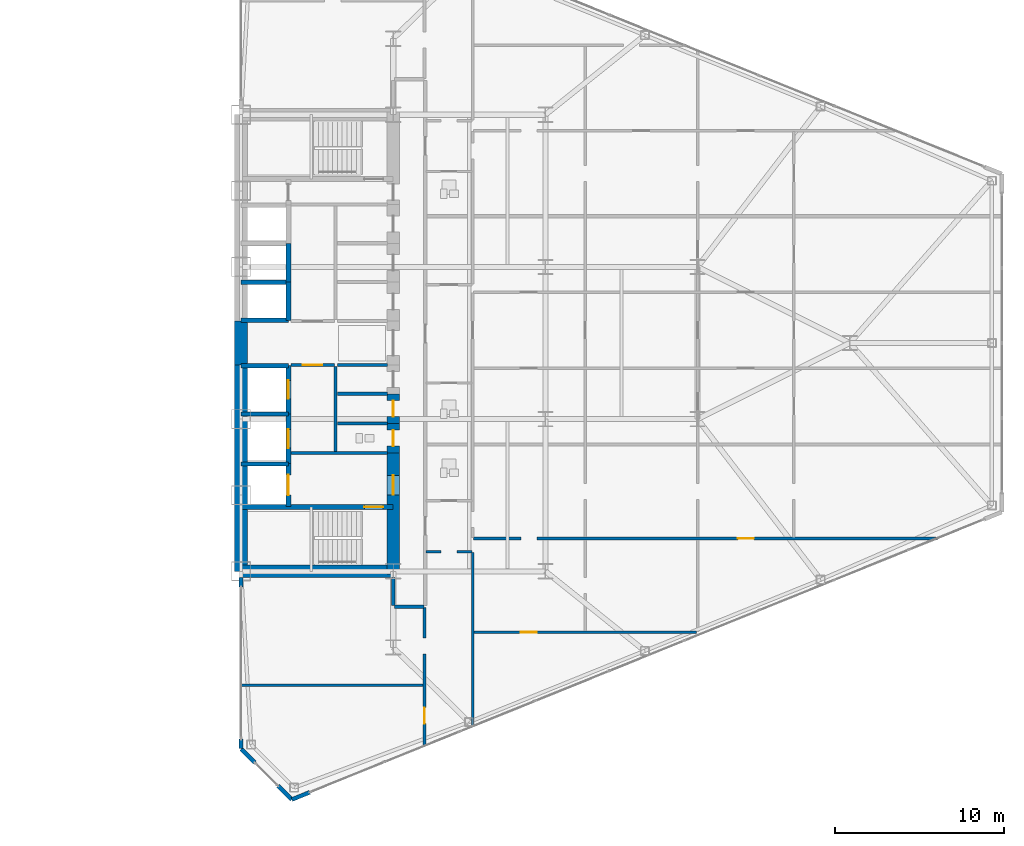
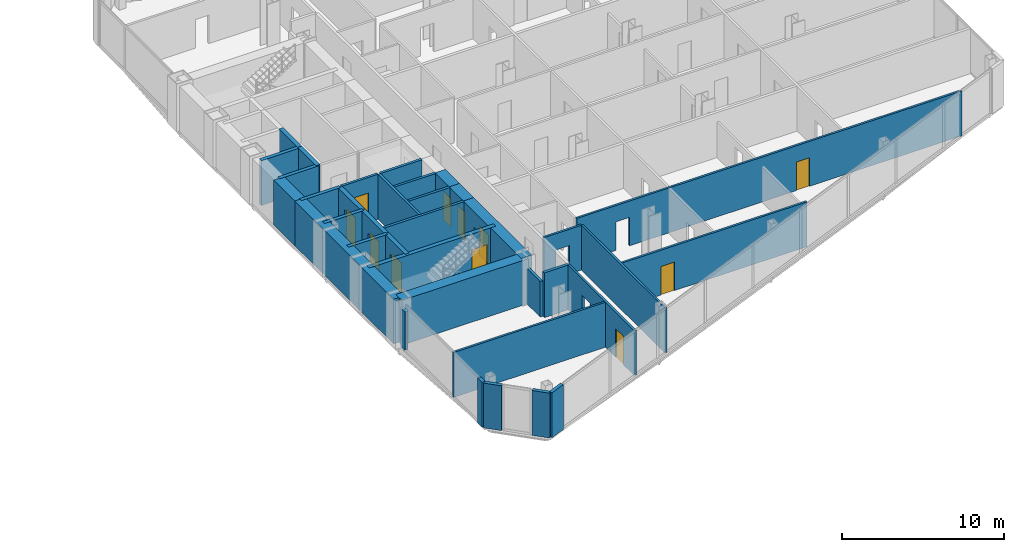
# One storey, part 20 of 25: 36 walls, 11 doors, 14 openings.
"""IFC4 building model written with IfcOpenShell, lengths in metres."""

from ifc_helpers import new_model, si_unit, direction, frame, frame_2d, origin, place, context, subcontext, project, spatial, rectangle, extrude, source, transform, mapped, material, layer, layer_set, type_object, type_shapes, element, fill, save


model = new_model("IFC4")

# Units and contexts
model_context = context("Model", 3, precision=1e-05, world=origin(), true_north=direction((0.0, 1.0)))
body_context = subcontext(model_context, "Body", "Model", "MODEL_VIEW")
ifc_project = project(units=[si_unit("LENGTHUNIT", "METRE"), si_unit("AREAUNIT", "SQUARE_METRE"), si_unit("VOLUMEUNIT", "CUBIC_METRE"), si_unit("PLANEANGLEUNIT", "RADIAN"), si_unit("MASSUNIT", "GRAM", prefix="KILO")], contexts=[model_context])

# Site, building, storey
site_placement = place(None, origin())
site = spatial("IfcSite", under=ifc_project, at=site_placement, CompositionType="ELEMENT")
building_placement = place(site_placement, origin())
building = spatial("IfcBuilding", under=site, at=building_placement, Name="Seokmaru Belvedere", CompositionType="ELEMENT")
storey_placement = place(building_placement, frame((0.0, 0.0, 33.300048828125)))
storey = spatial("IfcBuildingStorey", under=building, at=storey_placement, Name="L08", CompositionType="ELEMENT", Elevation=33.300048828125)

# Wall
ifc_material_1 = material(Name="Fire-Rated Gypsum Shaftwall")
ifc_layer_1 = layer(ifc_material_1, 0.14990234375)
ifc_layer_set_1 = layer_set([ifc_layer_1], Name="Fire-Rated Gypsum Shaftwall")
wall_type_1 = type_object("IfcWallType", Name="Apartment Fire-Acoustic Room Partition 150", PredefinedType="PARTITIONING", material=ifc_layer_set_1)
wall_1_placement = place(storey_placement, frame((27.465087890625, -20.25, 0.0), z_axis=(0.0, 0.0, 1.0), x_axis=(1.0, 0.0, 0.0)))
element("IfcWall", 1, at=wall_1_placement, inside=storey, type_object=wall_type_1, Name="L08 Interior Partition 002", PredefinedType="PARTITIONING", context=body_context, shape_type="SweptSolid", body=[
    extrude(rectangle(XDim=10.8349609375, YDim=0.14990234375, at=frame_2d((5.41748046875, 0.0))), origin(), (0.0, 0.0, 1.0), 3.3798828125),
])

# Wall, opening, door
wall_2_placement = place(storey_placement, frame((41.25, -17.110107421875, 0.0), z_axis=(0.0, 0.0, 1.0), x_axis=(1.0, 0.0, 0.0)))
wall_2 = element("IfcWall", 2, at=wall_2_placement, inside=storey, type_object=wall_type_1, Name="L08 Interior Partition 004", PredefinedType="PARTITIONING", context=body_context, shape_type="SweptSolid", body=[
    extrude(rectangle(XDim=13.199951171875, YDim=0.14990234375, at=frame_2d((6.60009765625, 0.0))), origin(), (0.0, 0.0, 1.0), 3.3798828125),
])
opening_1_placement = place(wall_2_placement, frame((2.800048828125, 0.0, 0.0)))
opening_1 = element("IfcOpeningElement", 3, at=opening_1_placement, cuts=wall_2, Name="Opening D05", PredefinedType="OPENING", context=body_context, shape_type="SweptSolid", body=[
    extrude(rectangle(XDim=0.949951171875, YDim=2.14990234375, at=frame_2d((0.47509765625, 1.074951171875))), frame((0.0, 0.0849609375, 0.0), z_axis=(0.0, -1.0, 0.0), x_axis=(1.0, 0.0, 0.0)), (0.0, 0.0, 1.0), 0.169921875),
])
ifc_material_2 = material(Name="Engineered White Oak Timber", Category="wood")
door_type_1 = type_object("IfcDoorType", Name="Apartment Interior Fire-Rated Oak Door 950x2150", OperationType="NOTDEFINED", PredefinedType="DOOR", material=ifc_material_2)
shared_shape_1 = source(origin(), body_context, "Body", "SweptSolid", [
    extrude(rectangle(XDim=0.949951171875, YDim=2.14990234375, at=frame_2d((0.47509765625, 1.074951171875))), frame((0.0, 0.02490234375, 0.0), z_axis=(0.0, -1.0, 0.0), x_axis=(1.0, 0.0, 0.0)), (0.0, 0.0, 1.0), 0.050048828125),
])
type_shapes(door_type_1, [shared_shape_1])
door_1_placement = place(opening_1_placement, origin())
door_1 = element("IfcDoor", 4, at=door_1_placement, inside=storey, type_object=door_type_1, Name="L08 Interior Door 047", OperationType="SINGLE_SWING_RIGHT", OverallHeight=2.14990234375, OverallWidth=0.949951171875, PredefinedType="DOOR", context=body_context, shape_type="MappedRepresentation", body=[
    mapped(shared_shape_1, transform((0.0, 0.0, 0.0), scale=1.0)),
])
fill(opening_1, door_1)

# Wall, opening
wall_3_placement = place(storey_placement, frame((38.449951171875, -12.330078125, 0.0), z_axis=(0.0, 0.0, 1.0), x_axis=(1.0, 0.0, 0.0)))
wall_3 = element("IfcWall", 5, at=wall_3_placement, inside=storey, type_object=wall_type_1, Name="L08 Interior Partition 009", PredefinedType="PARTITIONING", context=body_context, shape_type="SweptSolid", body=[
    extrude(rectangle(XDim=2.699951171875, YDim=0.14990234375, at=frame_2d((1.35009765625, 0.0))), origin(), (0.0, 0.0, 1.0), 3.3798828125),
])
opening_2_placement = place(wall_3_placement, frame((0.875, 0.0, 0.0)))
element("IfcOpeningElement", 6, at=opening_2_placement, cuts=wall_3, Name="L08 Cased Opening 040", PredefinedType="OPENING", context=body_context, shape_type="SweptSolid", body=[
    extrude(rectangle(XDim=0.949951171875, YDim=2.14990234375, at=frame_2d((0.47509765625, 1.074951171875))), frame((0.0, 0.0849609375, 0.0), z_axis=(0.0, -1.0, 0.0), x_axis=(1.0, 0.0, 0.0)), (0.0, 0.0, 1.0), 0.169921875),
])

# Wall, openings, door
wall_4_placement = place(storey_placement, frame((41.25, -11.56005859375, 0.0), z_axis=(0.0, 0.0, 1.0), x_axis=(1.0, 0.0, 0.0)))
wall_4 = element("IfcWall", 7, at=wall_4_placement, inside=storey, type_object=wall_type_1, Name="L08 Interior Partition 010", PredefinedType="PARTITIONING", context=body_context, shape_type="SweptSolid", body=[
    extrude(rectangle(XDim=27.43994140625, YDim=0.14990234375, at=frame_2d((13.719970703125, 0.0))), origin(), (0.0, 0.0, 1.0), 3.3798828125),
])
opening_3_placement = place(wall_4_placement, frame((2.800048828125, 0.0, 0.0)))
element("IfcOpeningElement", 8, at=opening_3_placement, cuts=wall_4, Name="L08 Cased Opening 042", PredefinedType="OPENING", context=body_context, shape_type="SweptSolid", body=[
    extrude(rectangle(XDim=0.949951171875, YDim=2.14990234375, at=frame_2d((0.47509765625, 1.074951171875))), frame((0.0, 0.0849609375, 0.0), z_axis=(0.0, -1.0, 0.0), x_axis=(1.0, 0.0, 0.0)), (0.0, 0.0, 1.0), 0.169921875),
])
opening_4_placement = place(wall_4_placement, frame((15.625, 0.0, 0.0)))
opening_4 = element("IfcOpeningElement", 9, at=opening_4_placement, cuts=wall_4, Name="Opening D05", PredefinedType="OPENING", context=body_context, shape_type="SweptSolid", body=[
    extrude(rectangle(XDim=0.949951171875, YDim=2.14990234375, at=frame_2d((0.47509765625, 1.074951171875))), frame((0.0, 0.0849609375, 0.0), z_axis=(0.0, -1.0, 0.0), x_axis=(1.0, 0.0, 0.0)), (0.0, 0.0, 1.0), 0.169921875),
])
door_2_placement = place(opening_4_placement, origin())
door_2 = element("IfcDoor", 10, at=door_2_placement, inside=storey, type_object=door_type_1, Name="L08 Interior Door 045", OperationType="SINGLE_SWING_RIGHT", OverallHeight=2.14990234375, OverallWidth=0.949951171875, PredefinedType="DOOR", context=body_context, shape_type="MappedRepresentation", body=[
    mapped(shared_shape_1, transform((0.0, 0.0, 0.0), scale=1.0)),
])
fill(opening_4, door_2)

wall_5_placement = place(storey_placement, frame((38.35009765625, -23.85791015625, 0.0), z_axis=(0.0, 0.0, 1.0), x_axis=(0.0, 1.0, 0.0)))
wall_5 = element("IfcWall", 11, at=wall_5_placement, inside=storey, type_object=wall_type_1, Name="L08 Interior Partition 052", PredefinedType="PARTITIONING", context=body_context, shape_type="SweptSolid", body=[
    extrude(rectangle(XDim=8.2080078125, YDim=0.14990234375, at=frame_2d((4.10400390625, 0.0))), origin(), (0.0, 0.0, 1.0), 3.3798828125),
])
opening_5_placement = place(wall_5_placement, frame((1.3466796875, 0.0, 0.0)))
opening_5 = element("IfcOpeningElement", 12, at=opening_5_placement, cuts=wall_5, Name="Opening D05", PredefinedType="OPENING", context=body_context, shape_type="SweptSolid", body=[
    extrude(rectangle(XDim=0.949951171875, YDim=2.14990234375, at=frame_2d((0.47509765625, 1.074951171875))), frame((0.0, 0.0849609375, 0.0), z_axis=(0.0, -1.0, 0.0), x_axis=(1.0, 0.0, 0.0)), (0.0, 0.0, 1.0), 0.169921875),
])
opening_6_placement = place(wall_5_placement, frame((5.4580078125, 0.0, 0.0)))
element("IfcOpeningElement", 13, at=opening_6_placement, cuts=wall_5, Name="L08 Cased Opening 050", PredefinedType="OPENING", context=body_context, shape_type="SweptSolid", body=[
    extrude(rectangle(XDim=0.949951171875, YDim=2.14990234375, at=frame_2d((0.47509765625, 1.074951171875))), frame((0.0, 0.0849609375, 0.0), z_axis=(0.0, -1.0, 0.0), x_axis=(1.0, 0.0, 0.0)), (0.0, 0.0, 1.0), 0.169921875),
])
door_3_placement = place(opening_5_placement, origin())
door_3 = element("IfcDoor", 14, at=door_3_placement, inside=storey, type_object=door_type_1, Name="L08 Interior Door 049", OperationType="SINGLE_SWING_LEFT", OverallHeight=2.14990234375, OverallWidth=0.949951171875, PredefinedType="DOOR", context=body_context, shape_type="MappedRepresentation", body=[
    mapped(shared_shape_1, transform((0.0, 0.0, 0.0), scale=1.0)),
])
fill(opening_5, door_3)

# Walls
wall_6_placement = place(storey_placement, frame((41.199951171875, -22.7041015625, 0.0), z_axis=(0.0, 0.0, 1.0), x_axis=(0.0, 1.0, 0.0)))
element("IfcWall", 15, at=wall_6_placement, inside=storey, type_object=wall_type_1, Name="L08 Interior Partition 055", PredefinedType="PARTITIONING", context=body_context, shape_type="SweptSolid", body=[
    extrude(rectangle(XDim=10.326171875, YDim=0.14990234375, at=frame_2d((5.1630859375, 0.0))), origin(), (0.0, 0.0, 1.0), 3.3798828125),
])
ifc_layer_2 = layer(ifc_material_1, 0.179931640625)
ifc_layer_set_2 = layer_set([ifc_layer_2], Name="Fire-Rated Gypsum Shaftwall")
wall_type_2 = type_object("IfcWallType", Name="Core Service Fire Partition 180", PredefinedType="PARTITIONING", material=ifc_layer_set_2)
wall_7_placement = place(storey_placement, frame((30.449951171875, -6.5, 0.0), z_axis=(0.0, 0.0, 1.0), x_axis=(1.0, 0.0, 0.0)))
element("IfcWall", 16, at=wall_7_placement, inside=storey, type_object=wall_type_2, Name="L08 East Firefighting Lobby Partition", PredefinedType="PARTITIONING", context=body_context, shape_type="SweptSolid", body=[
    extrude(rectangle(XDim=5.699951171875, YDim=0.179931640625, at=frame_2d((2.85009765625, 0.0))), origin(), (0.0, 0.0, 1.0), 3.3798828125),
])
wall_8_placement = place(storey_placement, frame((33.10009765625, -6.419921875, 0.0), z_axis=(0.0, 0.0, 1.0), x_axis=(0.0, 1.0, 0.0)))
element("IfcWall", 17, at=wall_8_placement, inside=storey, type_object=wall_type_2, Name="L08 East South Core Service Back Wall", PredefinedType="PARTITIONING", context=body_context, shape_type="SweptSolid", body=[
    extrude(rectangle(XDim=5.0400390625, YDim=0.179931640625, at=frame_2d((2.52001953125, 0.0))), origin(), (0.0, 0.0, 1.0), 3.3798828125),
])

# Wall, opening, door
wall_9_placement = place(storey_placement, frame((30.449951171875, -1.300048828125, 0.0), z_axis=(0.0, 0.0, 1.0), x_axis=(1.0, 0.0, 0.0)))
wall_9 = element("IfcWall", 18, at=wall_9_placement, inside=storey, type_object=wall_type_2, Name="L08 East South Lift Lobby Foyer Wall", PredefinedType="PARTITIONING", context=body_context, shape_type="SweptSolid", body=[
    extrude(rectangle(XDim=2.570068359375, YDim=0.179931640625, at=frame_2d((1.28515625, 0.0))), origin(), (0.0, 0.0, 1.0), 3.3798828125),
])
opening_7_placement = place(wall_9_placement, frame((0.7099609375, 0.0, 0.0)))
opening_7 = element("IfcOpeningElement", 19, at=opening_7_placement, cuts=wall_9, Name="Opening D02", PredefinedType="OPENING", context=body_context, shape_type="SweptSolid", body=[
    extrude(rectangle(XDim=1.14990234375, YDim=2.199951171875, at=frame_2d((0.574951171875, 1.10009765625))), frame((0.0, 0.10009765625, 0.0), z_axis=(0.0, -1.0, 0.0), x_axis=(1.0, 0.0, 0.0)), (0.0, 0.0, 1.0), 0.199951171875),
])
ifc_material_3 = material(Name="Fire-Rated Steel Leaf", Category="steel")
door_type_2 = type_object("IfcDoorType", Name="Lobby and Vestibule Fire Door 1150x2200", OperationType="NOTDEFINED", PredefinedType="DOOR", material=ifc_material_3)
shared_shape_2 = source(origin(), body_context, "Body", "SweptSolid", [
    extrude(rectangle(XDim=1.14990234375, YDim=2.199951171875, at=frame_2d((0.574951171875, 1.10009765625))), frame((0.0, 0.02490234375, 0.0), z_axis=(0.0, -1.0, 0.0), x_axis=(1.0, 0.0, 0.0)), (0.0, 0.0, 1.0), 0.050048828125),
])
type_shapes(door_type_2, [shared_shape_2])
door_4_placement = place(opening_7_placement, origin())
door_4 = element("IfcDoor", 20, at=door_4_placement, inside=storey, type_object=door_type_2, Name="L08 East South Core Foyer Door", OperationType="SINGLE_SWING_RIGHT", OverallHeight=2.199951171875, OverallWidth=1.14990234375, PredefinedType="DOOR", context=body_context, shape_type="MappedRepresentation", body=[
    mapped(shared_shape_2, transform((0.0, 0.0, 0.0), scale=1.0)),
])
fill(opening_7, door_4)

# Walls
for number, where, z_axis, x_axis, name in (
    (21, (33.199951171875, -1.300048828125, 0.0), (0.0, 0.0, 1.0), (1.0, 0.0, 0.0), "L08 East Foyer Side Wall S"),
    (22, (33.199951171875, -4.75, 0.0), (0.0, 0.0, 1.0), (1.0, 0.0, 0.0), "L08 East Core Service Partition 1"),
    (23, (33.199951171875, -3.0, 0.0), (0.0, 0.0, 1.0), (1.0, 0.0, 0.0), "L08 East Core Service Partition 2"),
):
    element("IfcWall", number, at=place(storey_placement, frame(where, z_axis=z_axis, x_axis=x_axis)), inside=storey, type_object=wall_type_2, Name=name, PredefinedType="PARTITIONING", context=body_context, shape_type="SweptSolid", body=[
        extrude(rectangle(XDim=2.949951171875, YDim=0.179931640625, at=frame_2d((1.47509765625, 0.0))), origin(), (0.0, 0.0, 1.0), 3.3798828125),
    ])
ifc_material_4 = material(Name="Concrete C50 (50 MPa)", Category="concrete")
ifc_layer_3 = layer(ifc_material_4, 0.25)
ifc_layer_set_3 = layer_set([ifc_layer_3], Name="Concrete C50 (50 MPa)")
wall_type_3 = type_object("IfcWallType", Name="Hoistway Transverse Concrete Divider Wall 250", PredefinedType="SHEAR", material=ifc_layer_set_3)
for number, where, z_axis, x_axis, name in (
    (24, (27.5, -7.14990234375, 0.0), (0.0, 0.0, 1.0), (1.0, 0.0, 0.0), "L08 East Hoistway Divider Core Wall 1"),
    (25, (27.5, -4.199951171875, 0.0), (0.0, 0.0, 1.0), (1.0, 0.0, 0.0), "L08 East Hoistway Divider Core Wall 2"),
    (26, (27.5, -1.35009765625, 0.0), (0.0, 0.0, 1.0), (1.0, 0.0, 0.0), "L08 East Hoistway Divider Core Wall 3"),
    (27, (27.5, 1.35009765625, 0.0), (0.0, 0.0, 1.0), (1.0, 0.0, 0.0), "L08 East Hoistway Divider Core Wall 4"),
    (28, (27.5, 3.60009765625, 0.0), (0.0, 0.0, 1.0), (1.0, 0.0, 0.0), "L08 East Hoistway Divider Core Wall 5"),
):
    element("IfcWall", number, at=place(storey_placement, frame(where, z_axis=z_axis, x_axis=x_axis)), inside=storey, type_object=wall_type_3, Name=name, PredefinedType="SHEAR", context=body_context, shape_type="SweptSolid", body=[
        extrude(rectangle(XDim=2.800048828125, YDim=0.25, at=frame_2d((1.39990234375, 0.0))), origin(), (0.0, 0.0, 1.0), 3.3798828125),
    ])
ifc_layer_4 = layer(ifc_material_1, 0.199951171875)
ifc_layer_set_4 = layer_set([ifc_layer_4], Name="Fire-Rated Gypsum Shaftwall")
wall_type_4 = type_object("IfcWallType", Name="Inter-Tenancy Fire Compartment Partition 200", PredefinedType="PARTITIONING", material=ifc_layer_set_4)
wall_10_placement = place(storey_placement, frame((36.5849609375, -15.60009765625, 0.0), z_axis=(0.0, 0.0, 1.0), x_axis=(1.0, 0.0, 0.0)))
element("IfcWall", 29, at=wall_10_placement, inside=storey, type_object=wall_type_4, Name="L08 Interior Partition 007", PredefinedType="PARTITIONING", context=body_context, shape_type="SweptSolid", body=[
    extrude(rectangle(XDim=1.72998046875, YDim=0.199951171875, at=frame_2d((0.864990234375, 0.0))), origin(), (0.0, 0.0, 1.0), 3.3798828125),
])
wall_11_placement = place(storey_placement, frame((36.5, -15.514892578125, 0.0), z_axis=(0.0, 0.0, 1.0), x_axis=(0.0, 1.0, 0.0)))
element("IfcWall", 30, at=wall_11_placement, inside=storey, type_object=wall_type_4, Name="L08 Interior Partition 050", PredefinedType="PARTITIONING", context=body_context, shape_type="SweptSolid", body=[
    extrude(rectangle(XDim=1.635009765625, YDim=0.199951171875, at=frame_2d((0.8173828125, 0.0))), origin(), (0.0, 0.0, 1.0), 2.679931640625),
])

# Wall, opening, door
ifc_layer_5 = layer(ifc_material_4, 0.300048828125)
ifc_layer_set_5 = layer_set([ifc_layer_5], Name="Concrete C50 (50 MPa)")
wall_type_5 = type_object("IfcWallType", Name="Internal Core Stair and Hoistway Wall 300", PredefinedType="SHEAR", material=ifc_layer_set_5)
wall_12_placement = place(storey_placement, frame((27.5, -9.699951171875, 0.0), z_axis=(0.0, 0.0, 1.0), x_axis=(1.0, 0.0, 0.0)))
wall_12 = element("IfcWall", 31, at=wall_12_placement, inside=storey, type_object=wall_type_5, Name="L08 East Stair ST-1 Enclosure Wall", PredefinedType="SHEAR", context=body_context, shape_type="SweptSolid", body=[
    extrude(rectangle(XDim=9.0, YDim=0.300048828125, at=frame_2d((4.5, 0.0))), origin(), (0.0, 0.0, 1.0), 3.3798828125),
])
opening_8_placement = place(wall_12_placement, frame((7.300048828125, 0.0, 0.0)))
opening_8 = element("IfcOpeningElement", 32, at=opening_8_placement, cuts=wall_12, Name="Opening D01", PredefinedType="OPENING", context=body_context, shape_type="SweptSolid", body=[
    extrude(rectangle(XDim=1.10009765625, YDim=2.199951171875, at=frame_2d((0.550048828125, 1.10009765625))), frame((0.0, 0.16015625, 0.0), z_axis=(0.0, -1.0, 0.0), x_axis=(1.0, 0.0, 0.0)), (0.0, 0.0, 1.0), 0.320068359375),
])
door_type_3 = type_object("IfcDoorType", Name="Special Escape Stair Smokeproof Fire Door 1100x2200", OperationType="NOTDEFINED", PredefinedType="DOOR", material=ifc_material_3)
shared_shape_3 = source(origin(), body_context, "Body", "SweptSolid", [
    extrude(rectangle(XDim=1.10009765625, YDim=2.199951171875, at=frame_2d((0.550048828125, 1.10009765625))), frame((0.0, 0.02490234375, 0.0), z_axis=(0.0, -1.0, 0.0), x_axis=(1.0, 0.0, 0.0)), (0.0, 0.0, 1.0), 0.050048828125),
])
type_shapes(door_type_3, [shared_shape_3])
door_5_placement = place(opening_8_placement, frame((1.10009765625, 0.0, 0.0), z_axis=(0.0, 0.0, 1.0), x_axis=(-1.0, 0.0, 0.0)))
door_5 = element("IfcDoor", 33, at=door_5_placement, inside=storey, type_object=door_type_3, Name="L08 East Special Escape Stair ST-1 Door", OperationType="SINGLE_SWING_RIGHT", OverallHeight=2.199951171875, OverallWidth=1.10009765625, PredefinedType="DOOR", context=body_context, shape_type="MappedRepresentation", body=[
    mapped(shared_shape_3, transform((0.0, 0.0, 0.0), scale=1.0)),
])
fill(opening_8, door_5)

wall_13_placement = place(storey_placement, frame((30.300048828125, -9.679931640625, 0.0), z_axis=(0.0, 0.0, 1.0), x_axis=(0.0, 1.0, 0.0)))
wall_13 = element("IfcWall", 34, at=wall_13_placement, inside=storey, type_object=wall_type_5, Name="L08 East Firefighting Lift Shaft Front Wall", PredefinedType="SHEAR", context=body_context, shape_type="SweptSolid", body=[
    extrude(rectangle(XDim=2.559814453125, YDim=0.300048828125, at=frame_2d((1.27978515625, 0.0))), origin(), (0.0, 0.0, 1.0), 3.3798828125),
])
opening_9_placement = place(wall_13_placement, frame((0.679931640625, 0.0, 0.0)))
opening_9 = element("IfcOpeningElement", 35, at=opening_9_placement, cuts=wall_13, Name="Opening LD2", PredefinedType="OPENING", context=body_context, shape_type="SweptSolid", body=[
    extrude(rectangle(XDim=1.199951171875, YDim=2.25, at=frame_2d((0.60009765625, 1.125))), frame((0.0, 0.16015625, 0.0), z_axis=(0.0, -1.0, 0.0), x_axis=(1.0, 0.0, 0.0)), (0.0, 0.0, 1.0), 0.320068359375),
])
ifc_material_5 = material(Name="Stainless Steel 316", Category="steel")
door_type_4 = type_object("IfcDoorType", Name="Firefighting Lift Sliding Landing Door 1200x2250", OperationType="DOUBLE_DOOR_SLIDING", PredefinedType="DOOR", material=ifc_material_5)
shared_shape_4 = source(origin(), body_context, "Body", "SweptSolid", [
    extrude(rectangle(XDim=1.199951171875, YDim=2.25, at=frame_2d((0.60009765625, 1.125))), frame((0.0, 0.02490234375, 0.0), z_axis=(0.0, -1.0, 0.0), x_axis=(1.0, 0.0, 0.0)), (0.0, 0.0, 1.0), 0.050048828125),
])
type_shapes(door_type_4, [shared_shape_4])
door_6_placement = place(opening_9_placement, origin())
door_6 = element("IfcDoor", 36, at=door_6_placement, inside=storey, type_object=door_type_4, Name="L08 East Firefighting Lift Landing Door", OperationType="DOUBLE_DOOR_SLIDING", OverallHeight=2.25, OverallWidth=1.199951171875, PredefinedType="DOOR", context=body_context, shape_type="MappedRepresentation", body=[
    mapped(shared_shape_4, transform((0.0, 0.0, 0.0), scale=1.0)),
])
fill(opening_9, door_6)

wall_14_placement = place(storey_placement, frame((30.300048828125, -7.1201171875, 0.0), z_axis=(0.0, 0.0, 1.0), x_axis=(0.0, 1.0, 0.0)))
wall_14 = element("IfcWall", 37, at=wall_14_placement, inside=storey, type_object=wall_type_5, Name="L08 East Low-Rise Lift PL-1 Front Wall", PredefinedType="SHEAR", context=body_context, shape_type="SweptSolid", body=[
    extrude(rectangle(XDim=2.920166015625, YDim=0.300048828125, at=frame_2d((1.4599609375, 0.0))), origin(), (0.0, 0.0, 1.0), 3.3798828125),
])
opening_10_placement = place(wall_14_placement, frame((0.909912109375, 0.0, 0.0)))
opening_10 = element("IfcOpeningElement", 38, at=opening_10_placement, cuts=wall_14, Name="Opening LD1", PredefinedType="OPENING", context=body_context, shape_type="SweptSolid", body=[
    extrude(rectangle(XDim=1.10009765625, YDim=2.199951171875, at=frame_2d((0.550048828125, 1.10009765625))), frame((0.0, 0.16015625, 0.0), z_axis=(0.0, -1.0, 0.0), x_axis=(1.0, 0.0, 0.0)), (0.0, 0.0, 1.0), 0.320068359375),
])
door_type_5 = type_object("IfcDoorType", Name="Passenger Lift Sliding Landing Door 1100x2200", OperationType="DOUBLE_DOOR_SLIDING", PredefinedType="DOOR", material=ifc_material_5)
shared_shape_5 = source(origin(), body_context, "Body", "SweptSolid", [
    extrude(rectangle(XDim=1.10009765625, YDim=2.199951171875, at=frame_2d((0.550048828125, 1.10009765625))), frame((0.0, 0.02490234375, 0.0), z_axis=(0.0, -1.0, 0.0), x_axis=(1.0, 0.0, 0.0)), (0.0, 0.0, 1.0), 0.050048828125),
])
type_shapes(door_type_5, [shared_shape_5])
door_7_placement = place(opening_10_placement, origin())
door_7 = element("IfcDoor", 39, at=door_7_placement, inside=storey, type_object=door_type_5, Name="L08 East Low-Rise Lift PL-1 Landing Door", OperationType="DOUBLE_DOOR_SLIDING", OverallHeight=2.199951171875, OverallWidth=1.10009765625, PredefinedType="DOOR", context=body_context, shape_type="MappedRepresentation", body=[
    mapped(shared_shape_5, transform((0.0, 0.0, 0.0), scale=1.0)),
])
fill(opening_10, door_7)

wall_15_placement = place(storey_placement, frame((30.300048828125, -4.199951171875, 0.0), z_axis=(0.0, 0.0, 1.0), x_axis=(0.0, 1.0, 0.0)))
wall_15 = element("IfcWall", 40, at=wall_15_placement, inside=storey, type_object=wall_type_5, Name="L08 East Low-Rise Lift PL-2 Front Wall", PredefinedType="SHEAR", context=body_context, shape_type="SweptSolid", body=[
    extrude(rectangle(XDim=2.8798828125, YDim=0.300048828125, at=frame_2d((1.43994140625, 0.0))), origin(), (0.0, 0.0, 1.0), 3.3798828125),
])
opening_11_placement = place(wall_15_placement, frame((0.889892578125, 0.0, 0.0)))
opening_11 = element("IfcOpeningElement", 41, at=opening_11_placement, cuts=wall_15, Name="Opening LD1", PredefinedType="OPENING", context=body_context, shape_type="SweptSolid", body=[
    extrude(rectangle(XDim=1.10009765625, YDim=2.199951171875, at=frame_2d((0.550048828125, 1.10009765625))), frame((0.0, 0.16015625, 0.0), z_axis=(0.0, -1.0, 0.0), x_axis=(1.0, 0.0, 0.0)), (0.0, 0.0, 1.0), 0.320068359375),
])
door_8_placement = place(opening_11_placement, origin())
door_8 = element("IfcDoor", 42, at=door_8_placement, inside=storey, type_object=door_type_5, Name="L08 East Low-Rise Lift PL-2 Landing Door", OperationType="DOUBLE_DOOR_SLIDING", OverallHeight=2.199951171875, OverallWidth=1.10009765625, PredefinedType="DOOR", context=body_context, shape_type="MappedRepresentation", body=[
    mapped(shared_shape_5, transform((0.0, 0.0, 0.0), scale=1.0)),
])
fill(opening_11, door_8)

# Walls
wall_16_placement = place(storey_placement, frame((30.300048828125, 1.320068359375, 0.0), z_axis=(0.0, 0.0, 1.0), x_axis=(0.0, 1.0, 0.0)))
element("IfcWall", 43, at=wall_16_placement, inside=storey, type_object=wall_type_5, Name="L08 East North Hoistway Wall PH1", PredefinedType="SHEAR", context=body_context, shape_type="SweptSolid", body=[
    extrude(rectangle(XDim=2.280029296875, YDim=0.300048828125, at=frame_2d((1.14013671875, 0.0))), origin(), (0.0, 0.0, 1.0), 3.3798828125),
])
wall_17_placement = place(storey_placement, frame((30.300048828125, 3.60009765625, 0.0), z_axis=(0.0, 0.0, 1.0), x_axis=(0.0, 1.0, 0.0)))
element("IfcWall", 44, at=wall_17_placement, inside=storey, type_object=wall_type_5, Name="L08 East North Hoistway Wall PH2", PredefinedType="SHEAR", context=body_context, shape_type="SweptSolid", body=[
    extrude(rectangle(XDim=2.2998046875, YDim=0.300048828125, at=frame_2d((1.14990234375, 0.0))), origin(), (0.0, 0.0, 1.0), 3.3798828125),
])
ifc_material_6 = material(Name="Concrete C60 (60 MPa)", Category="concrete")
ifc_layer_6 = layer(ifc_material_6, 0.75)
ifc_layer_set_6 = layer_set([ifc_layer_6], Name="Concrete C60 (60 MPa)")
wall_type_6 = type_object("IfcWallType", Name="Lower Tower Reinforced Concrete Core Wall 750", PredefinedType="SHEAR", material=ifc_layer_set_6)
wall_18_placement = place(storey_placement, frame((27.5, -13.5, 0.0), z_axis=(0.0, 0.0, 1.0), x_axis=(0.0, 1.0, 0.0)))
element("IfcWall", 45, at=wall_18_placement, inside=storey, type_object=wall_type_6, Name="L08 East Portal Spine Core Wall South", PredefinedType="SHEAR", context=body_context, shape_type="SweptSolid", body=[
    extrude(rectangle(XDim=12.199951171875, YDim=0.75, at=frame_2d((6.10009765625, 0.0))), origin(), (0.0, 0.0, 1.0), 3.3798828125),
])
wall_19_placement = place(storey_placement, frame((27.5, -1.300048828125, 0.0), z_axis=(0.0, 0.0, 1.0), x_axis=(0.0, 1.0, 0.0)))
element("IfcWall", 46, at=wall_19_placement, inside=storey, type_object=wall_type_6, Name="L08 East Portal Spine Core Wall Center", PredefinedType="SHEAR", context=body_context, shape_type="SweptSolid", body=[
    extrude(rectangle(XDim=2.60009765625, YDim=0.75, at=frame_2d((1.300048828125, 0.0))), origin(), (0.0, 0.0, 1.0), 3.3798828125),
])
wall_20_placement = place(storey_placement, frame((27.5, -13.5, 0.0), z_axis=(0.0, 0.0, 1.0), x_axis=(1.0, 0.0, 0.0)))
element("IfcWall", 47, at=wall_20_placement, inside=storey, type_object=wall_type_6, Name="L08 East South Core Wall", PredefinedType="SHEAR", context=body_context, shape_type="SweptSolid", body=[
    extrude(rectangle(XDim=9.0, YDim=0.75, at=frame_2d((4.5, 0.0))), origin(), (0.0, 0.0, 1.0), 3.3798828125),
])

# Wall, opening, door
wall_21_placement = place(storey_placement, frame((36.5, -13.64990234375, 0.0), z_axis=(0.0, 0.0, 1.0), x_axis=(0.0, 1.0, 0.0)))
wall_21 = element("IfcWall", 48, at=wall_21_placement, inside=storey, type_object=wall_type_6, Name="L08 East West Core Wall FF", PredefinedType="SHEAR", context=body_context, shape_type="SweptSolid", body=[
    extrude(rectangle(XDim=7.14990234375, YDim=0.75, at=frame_2d((3.574951171875, 0.0))), origin(), (0.0, 0.0, 1.0), 3.3798828125),
])
opening_12_placement = place(wall_21_placement, frame((4.675048828125, 0.0, 0.0)))
opening_12 = element("IfcOpeningElement", 49, at=opening_12_placement, cuts=wall_21, Name="Opening D02", PredefinedType="OPENING", context=body_context, shape_type="SweptSolid", body=[
    extrude(rectangle(XDim=1.14990234375, YDim=2.199951171875, at=frame_2d((0.574951171875, 1.10009765625))), frame((0.0, 0.385009765625, 0.0), z_axis=(0.0, -1.0, 0.0), x_axis=(1.0, 0.0, 0.0)), (0.0, 0.0, 1.0), 0.77001953125),
])
door_9_placement = place(opening_12_placement, origin())
door_9 = element("IfcDoor", 50, at=door_9_placement, inside=storey, type_object=door_type_2, Name="L08 East Firefighting Lobby Door", OperationType="SINGLE_SWING_RIGHT", OverallHeight=2.199951171875, OverallWidth=1.14990234375, PredefinedType="DOOR", context=body_context, shape_type="MappedRepresentation", body=[
    mapped(shared_shape_2, transform((0.0, 0.0, 0.0), scale=1.0)),
])
fill(opening_12, door_9)

wall_22_placement = place(storey_placement, frame((36.5, -6.5, 0.0), z_axis=(0.0, 0.0, 1.0), x_axis=(0.0, 1.0, 0.0)))
wall_22 = element("IfcWall", 51, at=wall_22_placement, inside=storey, type_object=wall_type_6, Name="L08 East West Core Wall CS1", PredefinedType="SHEAR", context=body_context, shape_type="SweptSolid", body=[
    extrude(rectangle(XDim=1.75, YDim=0.75, at=frame_2d((0.875, 0.0))), origin(), (0.0, 0.0, 1.0), 3.3798828125),
])
opening_13_placement = place(wall_22_placement, frame((0.39990234375, 0.0, 0.0)))
opening_13 = element("IfcOpeningElement", 52, at=opening_13_placement, cuts=wall_22, Name="Opening D04", PredefinedType="OPENING", context=body_context, shape_type="SweptSolid", body=[
    extrude(rectangle(XDim=0.949951171875, YDim=2.14990234375, at=frame_2d((0.47509765625, 1.074951171875))), frame((0.0, 0.385009765625, 0.0), z_axis=(0.0, -1.0, 0.0), x_axis=(1.0, 0.0, 0.0)), (0.0, 0.0, 1.0), 0.77001953125),
])
door_type_6 = type_object("IfcDoorType", Name="Core Service Room Fire Door 950x2150", OperationType="NOTDEFINED", PredefinedType="DOOR", material=ifc_material_3)
shared_shape_6 = source(origin(), body_context, "Body", "SweptSolid", [
    extrude(rectangle(XDim=0.949951171875, YDim=2.14990234375, at=frame_2d((0.47509765625, 1.074951171875))), frame((0.0, 0.02490234375, 0.0), z_axis=(0.0, -1.0, 0.0), x_axis=(1.0, 0.0, 0.0)), (0.0, 0.0, 1.0), 0.050048828125),
])
type_shapes(door_type_6, [shared_shape_6])
door_10_placement = place(opening_13_placement, origin())
door_10 = element("IfcDoor", 53, at=door_10_placement, inside=storey, type_object=door_type_6, Name="L08 East Core Service Room Door 1", OperationType="SINGLE_SWING_RIGHT", OverallHeight=2.14990234375, OverallWidth=0.949951171875, PredefinedType="DOOR", context=body_context, shape_type="MappedRepresentation", body=[
    mapped(shared_shape_6, transform((0.0, 0.0, 0.0), scale=1.0)),
])
fill(opening_13, door_10)

wall_23_placement = place(storey_placement, frame((36.5, -4.75, 0.0), z_axis=(0.0, 0.0, 1.0), x_axis=(0.0, 1.0, 0.0)))
wall_23 = element("IfcWall", 54, at=wall_23_placement, inside=storey, type_object=wall_type_6, Name="L08 East West Core Wall CS2", PredefinedType="SHEAR", context=body_context, shape_type="SweptSolid", body=[
    extrude(rectangle(XDim=1.75, YDim=0.75, at=frame_2d((0.875, 0.0))), origin(), (0.0, 0.0, 1.0), 3.3798828125),
])
opening_14_placement = place(wall_23_placement, frame((0.39990234375, 0.0, 0.0)))
opening_14 = element("IfcOpeningElement", 55, at=opening_14_placement, cuts=wall_23, Name="Opening D04", PredefinedType="OPENING", context=body_context, shape_type="SweptSolid", body=[
    extrude(rectangle(XDim=0.949951171875, YDim=2.14990234375, at=frame_2d((0.47509765625, 1.074951171875))), frame((0.0, 0.385009765625, 0.0), z_axis=(0.0, -1.0, 0.0), x_axis=(1.0, 0.0, 0.0)), (0.0, 0.0, 1.0), 0.77001953125),
])
door_11_placement = place(opening_14_placement, origin())
door_11 = element("IfcDoor", 56, at=door_11_placement, inside=storey, type_object=door_type_6, Name="L08 East Core Service Room Door 2", OperationType="SINGLE_SWING_LEFT", OverallHeight=2.14990234375, OverallWidth=0.949951171875, PredefinedType="DOOR", context=body_context, shape_type="MappedRepresentation", body=[
    mapped(shared_shape_6, transform((0.0, 0.0, 0.0), scale=1.0)),
])
fill(opening_14, door_11)

# Walls
ifc_material_7 = material(Name="Anodised Bronze Aluminium", Category="aluminium")
ifc_layer_7 = layer(ifc_material_7, 0.239990234375)
ifc_layer_set_7 = layer_set([ifc_layer_7], Name="Anodised Bronze Aluminium")
wall_type_7 = type_object("IfcWallType", Name="Tower Corner Spandrel Closure Wall 240", PredefinedType="SOLIDWALL", material=ifc_layer_set_7)
wall_24_placement = place(storey_placement, frame((30.50927734375, -26.99609375, 0.0), z_axis=(0.0, 0.0, 1.0), x_axis=(0.927007103665, 0.375043770452, 0.0)))
element("IfcWall", 57, at=wall_24_placement, inside=storey, type_object=wall_type_7, Name="L08 E Corner Closure Pier 1A", PredefinedType="SOLIDWALL", context=body_context, shape_type="SweptSolid", body=[
    extrude(rectangle(XDim=1.139892578125, YDim=0.239990234375, at=frame_2d((0.56982421875, 0.0))), origin(), (0.0, 0.0, 1.0), 3.3798828125),
])
wall_25_placement = place(storey_placement, frame((27.5, -23.97998046875, 0.0), z_axis=(0.0, 0.0, 1.0), x_axis=(0.0, 1.0, 0.0)))
element("IfcWall", 58, at=wall_25_placement, inside=storey, type_object=wall_type_7, Name="L08 E Spine Closure Pier 1A", PredefinedType="SOLIDWALL", context=body_context, shape_type="SweptSolid", body=[
    extrude(rectangle(XDim=0.550048828125, YDim=0.239990234375, at=frame_2d((0.27490234375, 0.0))), origin(), (0.0, 0.0, 1.0), 3.3798828125),
])
wall_26_placement = place(storey_placement, frame((27.5, -14.429931640625, 0.0), z_axis=(0.0, 0.0, 1.0), x_axis=(0.0, 1.0, 0.0)))
element("IfcWall", 59, at=wall_26_placement, inside=storey, type_object=wall_type_7, Name="L08 E Spine Closure Pier 1B", PredefinedType="SOLIDWALL", context=body_context, shape_type="SweptSolid", body=[
    extrude(rectangle(XDim=0.550048828125, YDim=0.239990234375, at=frame_2d((0.27490234375, 0.0))), origin(), (0.0, 0.0, 1.0), 2.8798828125),
])
for number, where, z_axis, x_axis, name in (
    (60, (27.507080078125, -24.007080078125, 0.0), (0.0, 0.0, 1.0), (0.707106781187, -0.707106781187, 0.0), "L08 E Corner Closure Pier 6A"),
    (61, (29.686767578125, -26.186767578125, 0.0), (0.0, 0.0, 1.0), (0.707106781187, -0.707106781187, 0.0), "L08 E Corner Closure Pier 6B"),
):
    element("IfcWall", number, at=place(storey_placement, frame(where, z_axis=z_axis, x_axis=x_axis)), inside=storey, type_object=wall_type_7, Name=name, PredefinedType="SOLIDWALL", context=body_context, shape_type="SweptSolid", body=[
        extrude(rectangle(XDim=1.14013671875, YDim=0.239990234375, at=frame_2d((0.570068359375, 0.0))), origin(), (0.0, 0.0, 1.0), 3.3798828125),
    ])

save(model, "model.ifc")
